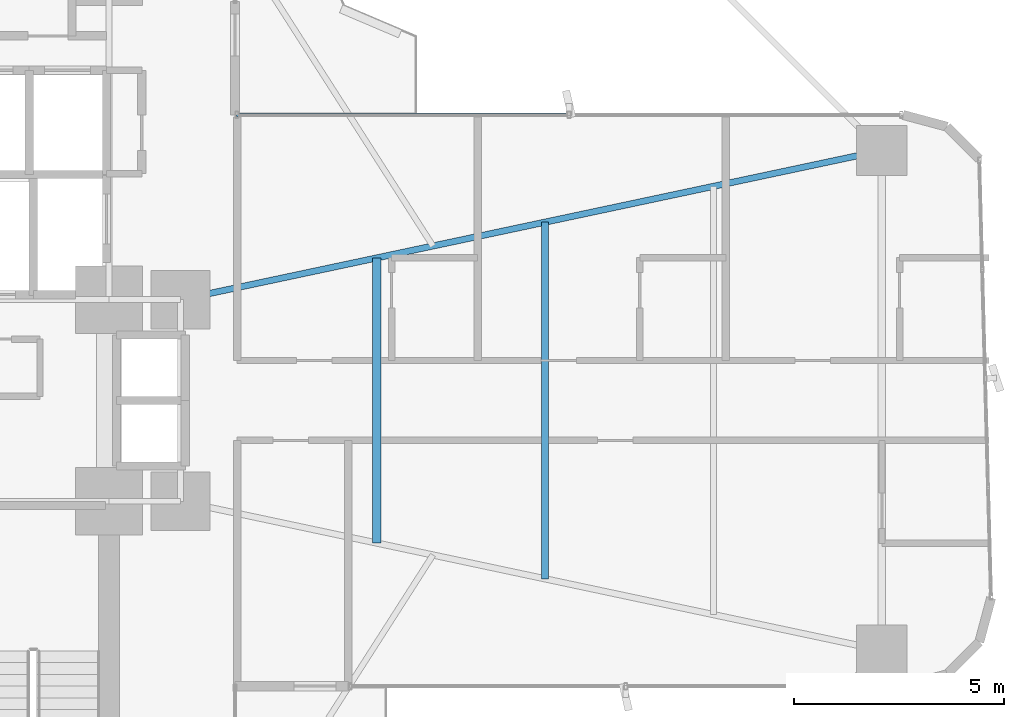
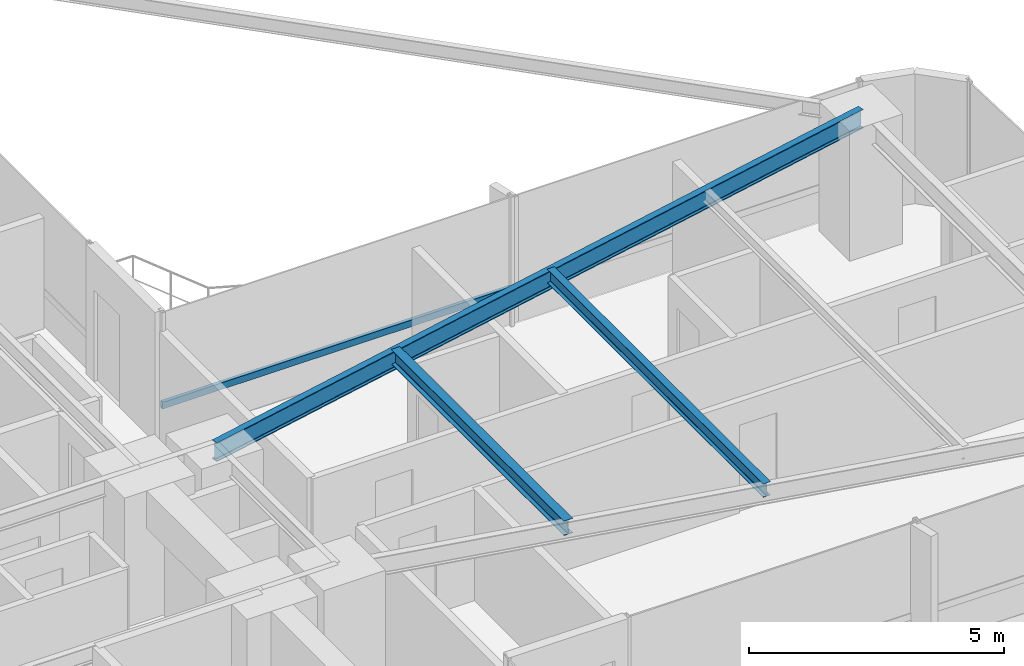
# One storey, part 15 of 26: 3 beams, 1 member, 1 element without a shape of its own.
"""IFC4 building model written with IfcOpenShell, lengths in metres."""

import ifcopenshell
import ifcopenshell.guid

model = None  # the IFC model being written
_history = None  # IfcOwnerHistory: only IFC2X3 demands one
_inside = {}  # id of a spatial element -> (the spatial element, [elements in it])
_under = {}  # id of a project, library or spatial element -> (it, [spatial elements below it])
_declared = {}  # id of a project -> (the project, [libraries it declares])
_typed = {}  # id of a type object -> (the type object, [elements of that type])
_made_of = {}  # id of a material, layer set ... -> (it, [elements and type objects made of it])


def new_model(schema):
    """Start an empty IFC model of exactly this schema.

    Asked for "IFC4X3", IfcOpenShell would pick the latest addendum, in which some entities
    have other attributes; the version numbers below select the first issue.
    IFC2X3 requires an IfcOwnerHistory on every rooted entity: one is made here for all.
    """
    global model, _history
    if schema == "IFC4X3":
        model = ifcopenshell.file(schema_version=(4, 3, 0, 0))
    else:
        model = ifcopenshell.file(schema=schema)
    _inside.clear()
    _under.clear()
    _declared.clear()
    _typed.clear()
    _made_of.clear()
    _history = None
    if model.schema == "IFC2X3":
        org = make("IfcOrganization", Name="unknown")
        user = make(
            "IfcPersonAndOrganization",
            ThePerson=make("IfcPerson", FamilyName="unknown"),
            TheOrganization=org,
        )
        app = make(
            "IfcApplication",
            ApplicationDeveloper=org,
            Version="unknown",
            ApplicationFullName="unknown",
            ApplicationIdentifier="unknown",
        )
        _history = make(
            "IfcOwnerHistory",
            OwningUser=user,
            OwningApplication=app,
            ChangeAction="ADDED",
            CreationDate=0,
        )
    return model


def make(cls, **values):
    """One entity of the class cls with the attributes given. An attribute that is None is left unset."""
    return model.create_entity(
        cls, **{name: value for name, value in values.items() if value is not None}
    )


def rooted(cls, **values):
    """An entity with a GlobalId (a new one), such as an element, a storey or a relation."""
    return make(cls, GlobalId=ifcopenshell.guid.new(), OwnerHistory=_history, **values)


def si_unit(unit_type, name, prefix=None):
    """IfcSIUnit, for example si_unit("LENGTHUNIT", "METRE", prefix="MILLI")."""
    return make("IfcSIUnit", UnitType=unit_type, Prefix=prefix, Name=name)


def assignment(units):
    """IfcUnitAssignment: the units of a project."""
    return None if units is None else make("IfcUnitAssignment", Units=units)


def point(xyz):
    """IfcCartesianPoint."""
    return None if xyz is None else make("IfcCartesianPoint", Coordinates=xyz)


def direction(xyz):
    """IfcDirection."""
    return None if xyz is None else make("IfcDirection", DirectionRatios=xyz)


def frame(location, z_axis=None, x_axis=None):
    """IfcAxis2Placement3D, a coordinate frame: its origin and axes. An axis left out is left unset."""
    return make(
        "IfcAxis2Placement3D",
        Location=point(location),
        Axis=direction(z_axis),
        RefDirection=direction(x_axis),
    )


def frame_2d(location, x_axis=None):
    """IfcAxis2Placement2D, a coordinate frame in the plane: its origin and x axis."""
    return make(
        "IfcAxis2Placement2D", Location=point(location), RefDirection=direction(x_axis)
    )


def origin():
    """The frame at (0, 0, 0) with its axes left unset."""
    return frame((0.0, 0.0, 0.0))


def origin_2d():
    """The frame at (0, 0) in the plane with its x axis left unset."""
    return frame_2d((0.0, 0.0))


def place(relative_to, where):
    """IfcLocalPlacement: puts the frame where relative to a parent placement (None: the world)."""
    return make(
        "IfcLocalPlacement", PlacementRelTo=relative_to, RelativePlacement=where
    )


def context(
    kind, dimensions, precision=None, world=None, true_north=None, identifier=None
):
    """IfcGeometricRepresentationContext, for example the 3D "Model" context."""
    return make(
        "IfcGeometricRepresentationContext",
        ContextIdentifier=identifier,
        ContextType=kind,
        CoordinateSpaceDimension=dimensions,
        Precision=precision,
        WorldCoordinateSystem=world,
        TrueNorth=true_north,
    )


def subcontext(parent, identifier, kind, view, scale=None):
    """IfcGeometricRepresentationSubContext, for example "Body" below "Model"."""
    return make(
        "IfcGeometricRepresentationSubContext",
        ContextIdentifier=identifier,
        ContextType=kind,
        ParentContext=parent,
        TargetScale=scale,
        TargetView=view,
    )


def project(units=None, contexts=None):
    """IfcProject with its units and contexts."""
    return rooted(
        "IfcProject",
        Name="project",
        RepresentationContexts=contexts,
        UnitsInContext=assignment(units),
    )


def spatial(cls, under=None, at=None, **own):
    """A site, building, storey or space (cls), placed at a placement, below another one or the project."""
    s = rooted(cls, ObjectPlacement=at, **own)
    if under is not None:
        _under.setdefault(under.id(), (under, []))[1].append(s)
    return s


def profile(cls, at=None, kind="AREA", **sizes):
    """A parametric profile (cls). Its sizes go by their IFC names, for example OverallWidth=200.0."""
    return make(cls, ProfileType=kind, Position=at, **sizes)


def hollow_rectangle(**sizes):
    """IfcRectangleHollowProfileDef."""
    return profile("IfcRectangleHollowProfileDef", **sizes)


def i_section(**sizes):
    """IfcIShapeProfileDef."""
    return profile("IfcIShapeProfileDef", **sizes)


def extrude(swept, where, along, depth):
    """IfcExtrudedAreaSolid: the profile swept, set in the frame where, extruded along a direction by depth."""
    return make(
        "IfcExtrudedAreaSolid",
        SweptArea=swept,
        Position=where,
        ExtrudedDirection=direction(along),
        Depth=depth,
    )


def shape(context_of_items, identifier, shape_type, items):
    """IfcShapeRepresentation: the items that make up one representation, for example the "Body"."""
    return make(
        "IfcShapeRepresentation",
        ContextOfItems=context_of_items,
        RepresentationIdentifier=identifier,
        RepresentationType=shape_type,
        Items=items,
    )


def source(mapping_origin, context_of_items, identifier, shape_type, items):
    """IfcRepresentationMap: a shape defined once, which mapped items show again and again."""
    return make(
        "IfcRepresentationMap",
        MappingOrigin=mapping_origin,
        MappedRepresentation=shape(context_of_items, identifier, shape_type, items),
    )


def transform(
    local_origin,
    x_axis=None,
    y_axis=None,
    z_axis=None,
    scale=None,
    scale2=None,
    scale3=None,
    uniform=True,
):
    """IfcCartesianTransformationOperator3D, or its non-uniform kind. x_axis, y_axis, z_axis: its Axis1, 2, 3."""
    if uniform:
        return make(
            "IfcCartesianTransformationOperator3D",
            Axis1=direction(x_axis),
            Axis2=direction(y_axis),
            LocalOrigin=point(local_origin),
            Scale=scale,
            Axis3=direction(z_axis),
        )
    return make(
        "IfcCartesianTransformationOperator3DnonUniform",
        Axis1=direction(x_axis),
        Axis2=direction(y_axis),
        LocalOrigin=point(local_origin),
        Scale=scale,
        Axis3=direction(z_axis),
        Scale2=scale2,
        Scale3=scale3,
    )


def mapped(mapping_source, mapping_target):
    """IfcMappedItem: shows the shape of a source again, moved by a transform."""
    return make(
        "IfcMappedItem", MappingSource=mapping_source, MappingTarget=mapping_target
    )


def material(Name=None, Category=None):
    """IfcMaterial."""
    return make("IfcMaterial", Name=Name, Category=Category)


def material_profile(
    of_material, cross_section, Name=None, Category=None, Priority=None
):
    """IfcMaterialProfile: a cross section and its material."""
    return make(
        "IfcMaterialProfile",
        Name=Name,
        Material=of_material,
        Profile=cross_section,
        Priority=Priority,
        Category=Category,
    )


def profile_set(profiles, Name=None, composite=None):
    """IfcMaterialProfileSet."""
    return make(
        "IfcMaterialProfileSet",
        Name=Name,
        MaterialProfiles=profiles,
        CompositeProfile=composite,
    )


def made_of(thing, what):
    """Note that an element or type object is made of a material, layer set ...; save() writes the relation."""
    if what is not None:
        _made_of.setdefault(what.id(), (what, []))[1].append(thing)
    return thing


def type_object(cls, material=None, **own):
    """A type object (cls), such as IfcWallType, which elements share."""
    return made_of(rooted(cls, **own), material)


def element(
    cls,
    number,
    at=None,
    inside=None,
    cuts=None,
    type_object=None,
    material=None,
    context=None,
    identifier="Body",
    shape_type=None,
    held_by="IfcProductDefinitionShape",
    body=None,
    shapes=None,
    **own,
):
    """One element of the class cls, such as IfcWall. Its Tag is "e" and its number.

    at: its placement. inside: the storey or other place that contains it. cuts: it is an
    opening in that element (IfcRelVoidsElement). A single representation is given by context,
    identifier, shape_type and body (its items); several are given by shapes. held_by: the class
    of the entity that holds the representations. save() writes the other relations.
    """
    e = rooted(cls, Tag="e%d" % number, ObjectPlacement=at, **own)
    if body is not None:
        shapes = [shape(context, identifier, shape_type, body)]
    if shapes is not None:
        e.Representation = make(held_by, Representations=shapes)
    if inside is not None:
        _inside.setdefault(inside.id(), (inside, []))[1].append(e)
    if cuts is not None:
        rooted(
            "IfcRelVoidsElement", RelatingBuildingElement=cuts, RelatedOpeningElement=e
        )
    if type_object is not None:
        _typed.setdefault(type_object.id(), (type_object, []))[1].append(e)
    return made_of(e, material)


def aggregate(whole, parts):
    """IfcRelAggregates: a whole, such as a stair, and the parts it consists of."""
    return rooted("IfcRelAggregates", RelatingObject=whole, RelatedObjects=parts)


def save(model, path):
    """Write the relations noted so far, then the file.

    IfcRelAggregates (storeys below a building ...), IfcRelContainedInSpatialStructure (elements
    in a storey), IfcRelDefinesByType, IfcRelAssociatesMaterial and IfcRelDeclares: one each for
    every whole, place, type object, material and project.
    """
    for whole, parts in _under.values():
        aggregate(whole, parts)
    for where, things in _inside.values():
        rooted(
            "IfcRelContainedInSpatialStructure",
            RelatedElements=things,
            RelatingStructure=where,
        )
    for kind, things in _typed.values():
        rooted("IfcRelDefinesByType", RelatedObjects=things, RelatingType=kind)
    for what, things in _made_of.values():
        rooted("IfcRelAssociatesMaterial", RelatedObjects=things, RelatingMaterial=what)
    for by, libraries in _declared.values():
        rooted("IfcRelDeclares", RelatingContext=by, RelatedDefinitions=libraries)
    model.write(path)


model = new_model("IFC4")

# Units and contexts
model_context = context("Model", 3, precision=1e-05, world=origin(), true_north=direction((0.0, 1.0)))
body_context = subcontext(model_context, "Body", "Model", "MODEL_VIEW")
ifc_project = project(units=[si_unit("LENGTHUNIT", "METRE"), si_unit("AREAUNIT", "SQUARE_METRE"), si_unit("VOLUMEUNIT", "CUBIC_METRE"), si_unit("PLANEANGLEUNIT", "RADIAN"), si_unit("MASSUNIT", "GRAM", prefix="KILO")], contexts=[model_context])

# Site, building, storey
site_placement = place(None, origin())
site = spatial("IfcSite", under=ifc_project, at=site_placement, CompositionType="ELEMENT")
building_placement = place(site_placement, origin())
building = spatial("IfcBuilding", under=site, at=building_placement, Name="Sahyath Konkavel Grand Hotel", CompositionType="ELEMENT")
storey_placement = place(building_placement, frame((0.0, 0.0, 26.449951171875)))
storey = spatial("IfcBuildingStorey", under=building, at=storey_placement, Name="L06", CompositionType="ELEMENT", Elevation=26.449951171875)

# Beams
ifc_material_1 = material(Name="Steel E350", Category="steel")
ifc_material_profile_1 = material_profile(ifc_material_1, i_section(OverallWidth=0.14990234375, OverallDepth=0.449951171875, WebThickness=0.009521484375, FlangeThickness=0.017333984375, FilletRadius=0.014892578125, at=origin_2d()), Name="ISMB 450")
ifc_profile_set_1 = profile_set([ifc_material_profile_1], Name="Steel E350")
beam_type_1 = type_object("IfcBeamType", Name="BM-ISMB450", PredefinedType="BEAM", material=ifc_profile_set_1)
shared_shape_1 = source(origin(), body_context, "Body", "SweptSolid", [
    extrude(i_section(OverallWidth=0.14990234375, OverallDepth=0.449951171875, WebThickness=0.009521484375, FlangeThickness=0.017333984375, FilletRadius=0.014892578125, at=origin_2d()), origin(), (0.0, 0.0, 1.0), 17.072998046875),
])
beam_1_placement = place(storey_placement, frame((5.5, 2.39990234375, 2.885009765625), z_axis=(0.978143257225, 0.20793212437, 0.0), x_axis=(-0.20793212437, 0.978143257225, 0.0)))
element("IfcBeam", 1, at=beam_1_placement, inside=storey, type_object=beam_type_1, Name="L06 Cruciform Radial Girder EB", PredefinedType="BEAM", context=body_context, shape_type="MappedRepresentation", body=[
    mapped(shared_shape_1, transform((0.0, 0.0, 0.0), scale=1.0)),
])
ifc_material_profile_2 = material_profile(ifc_material_1, i_section(OverallWidth=0.199951171875, OverallDepth=0.35009765625, WebThickness=0.008056640625, FlangeThickness=0.011474609375, FilletRadius=0.013916015625, at=origin_2d()), Name="ISWB 350")
ifc_profile_set_2 = profile_set([ifc_material_profile_2], Name="Steel E350")
beam_type_2 = type_object("IfcBeamType", Name="BM-ISWB350", PredefinedType="BEAM", material=ifc_profile_set_2)
shared_shape_2 = source(origin(), body_context, "Body", "SweptSolid", [
    extrude(i_section(OverallWidth=0.199951171875, OverallDepth=0.35009765625, WebThickness=0.008056640625, FlangeThickness=0.011474609375, FilletRadius=0.013916015625, at=origin_2d()), origin(), (0.0, 0.0, 1.0), 6.7880859375),
])
beam_2_placement = place(storey_placement, frame((10.176025390625, -3.39404296875, 2.93505859375), z_axis=(0.0, 1.0, 0.0), x_axis=(-1.0, 0.0, 0.0)))
element("IfcBeam", 2, at=beam_2_placement, inside=storey, type_object=beam_type_2, Name="L06 Secondary Floor Beam E-1", PredefinedType="BEAM", context=body_context, shape_type="MappedRepresentation", body=[
    mapped(shared_shape_2, transform((0.0, 0.0, 0.0), scale=1.0)),
])
ifc_material_profile_3 = material_profile(ifc_material_1, i_section(OverallWidth=0.1650390625, OverallDepth=0.324951171875, WebThickness=0.007080078125, FlangeThickness=0.009765625, FilletRadius=0.014892578125, at=origin_2d()), Name="ISLB 325")
ifc_profile_set_3 = profile_set([ifc_material_profile_3], Name="Steel E350")
beam_type_3 = type_object("IfcBeamType", Name="BM-ISLB325", PredefinedType="BEAM", material=ifc_profile_set_3)
shared_shape_3 = source(origin(), body_context, "Body", "SweptSolid", [
    extrude(i_section(OverallWidth=0.1650390625, OverallDepth=0.324951171875, WebThickness=0.007080078125, FlangeThickness=0.009765625, FilletRadius=0.014892578125, at=origin_2d()), origin(), (0.0, 0.0, 1.0), 8.4921875),
])
beam_3_placement = place(storey_placement, frame((14.18408203125, -4.24609375, 2.947509765625), z_axis=(0.0, 1.0, 0.0), x_axis=(-1.0, 0.0, 0.0)))
element("IfcBeam", 3, at=beam_3_placement, inside=storey, type_object=beam_type_3, Name="L06 Secondary Floor Beam E-2", PredefinedType="BEAM", context=body_context, shape_type="MappedRepresentation", body=[
    mapped(shared_shape_3, transform((0.0, 0.0, 0.0), scale=1.0)),
])

# Curtain wall, member
ifc_material_2 = material(Name="Anodised Bronze Aluminium & Low-E Glazing", Category="aluminium")
curtain_wall_type = type_object("IfcCurtainWallType", Name="CW-ZONE1", PredefinedType="NOTDEFINED", material=ifc_material_2)
curtain_wall_placement = place(storey_placement, origin())
curtain_wall = element("IfcCurtainWall", 4, at=curtain_wall_placement, inside=storey, type_object=curtain_wall_type, Name="L06 Unitised Curtain Wall F7", PredefinedType="NOTDEFINED")
ifc_material_3 = material(Name="Anodised Bronze Aluminium", Category="aluminium")
ifc_material_profile_4 = material_profile(ifc_material_3, hollow_rectangle(XDim=0.080078125, YDim=0.159912109375, WallThickness=0.006103515625, at=origin_2d()), Name="RHS 160x80x6")
ifc_profile_set_4 = profile_set([ifc_material_profile_4], Name="Anodised Bronze Aluminium")
member_type = type_object("IfcMemberType", Name="CW-TRN-160", PredefinedType="USERDEFINED", material=ifc_profile_set_4)
shared_shape_4 = source(origin(), body_context, "Body", "SweptSolid", [
    extrude(hollow_rectangle(XDim=0.080078125, YDim=0.159912109375, WallThickness=0.006103515625, at=origin_2d()), origin(), (0.0, 0.0, 1.0), 7.909912109375),
])
member_placement = place(storey_placement, frame((14.75, 6.800048828125, 0.85009765625), z_axis=(-1.0, 0.0, 0.0), x_axis=(0.0, -1.0, 0.0)))
member = element("IfcMember", 5, at=member_placement, type_object=member_type, Name="L06 Curtain Wall Transom F7-1-spandrel", ObjectType="TRANSOM", PredefinedType="USERDEFINED", context=body_context, shape_type="MappedRepresentation", body=[
    mapped(shared_shape_4, transform((0.0, 0.0, 0.0), scale=1.0)),
])
aggregate(curtain_wall, [member])

save(model, "model.ifc")
